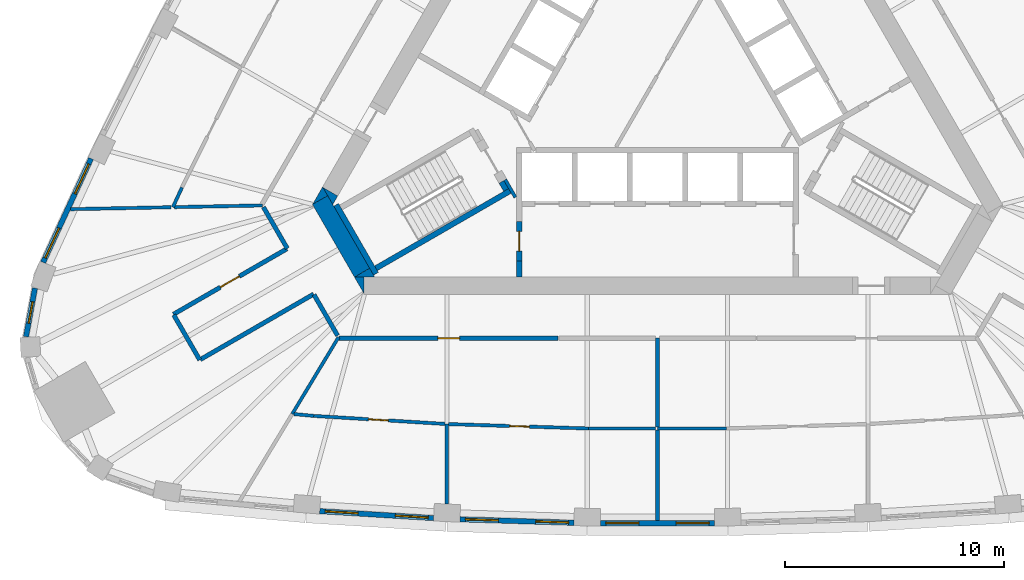
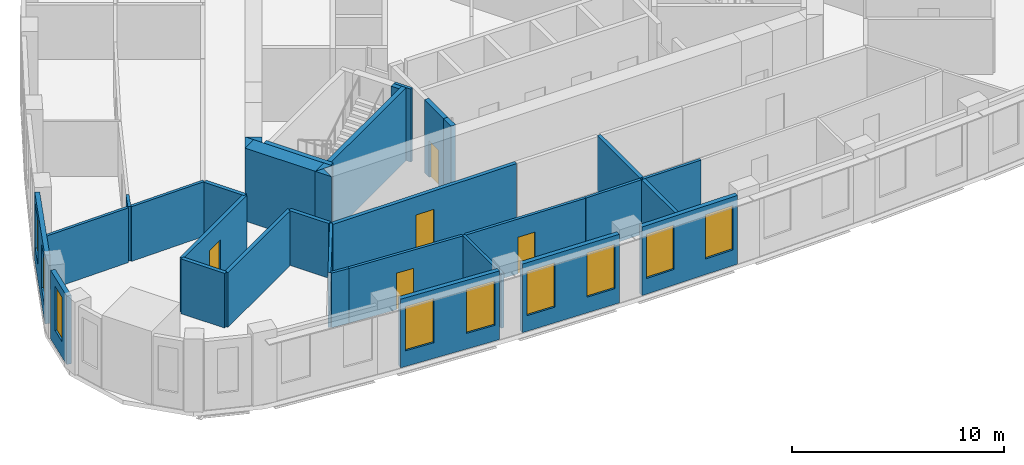
# One storey, part 3 of 10: 34 walls, 9 windows, 5 doors, 14 openings.
"""IFC4 building model written with IfcOpenShell, lengths in metres."""

from ifc_helpers import new_model, si_unit, direction, frame, frame_2d, origin, place, context, subcontext, project, spatial, polyline, rectangle, outline, extrude, material, layer, layer_set, type_object, element, fill, save


model = new_model("IFC4")

# Units and contexts
model_context = context("Model", 3, precision=1e-05, world=origin(), true_north=direction((0.0, 1.0)))
body_context = subcontext(model_context, "Body", "Model", "MODEL_VIEW")
ifc_project = project(units=[si_unit("LENGTHUNIT", "METRE"), si_unit("AREAUNIT", "SQUARE_METRE"), si_unit("VOLUMEUNIT", "CUBIC_METRE"), si_unit("PLANEANGLEUNIT", "RADIAN"), si_unit("MASSUNIT", "GRAM", prefix="KILO")], contexts=[model_context])

# Site, building, storey
site_placement = place(None, origin())
site = spatial("IfcSite", under=ifc_project, at=site_placement, CompositionType="ELEMENT")
building_placement = place(site_placement, origin())
building = spatial("IfcBuilding", under=site, at=building_placement, Name="Mestral Congress Tower", CompositionType="ELEMENT")
storey_placement = place(building_placement, frame((0.0, 0.0, 154.199951171875)))
storey = spatial("IfcBuildingStorey", under=building, at=storey_placement, Name="L36", CompositionType="ELEMENT", Elevation=154.199951171875)

# Walls
ifc_material_1 = material(Name="Concrete C60/75", Category="concrete")
ifc_layer_1 = layer(ifc_material_1, 0.800048828125)
ifc_layer_set_1 = layer_set([ifc_layer_1], Name="Concrete C60/75")
wall_type_1 = type_object("IfcWallType", Name="Core wall RC 800", PredefinedType="SOLIDWALL", material=ifc_layer_set_1)
placement = place(storey_placement, origin())
element("IfcWall", 1, at=placement, inside=storey, type_object=wall_type_1, Name="L36 core wall", PredefinedType="SOLIDWALL", context=body_context, shape_type="SweptSolid", body=[
    extrude(outline(polyline([(-13.82763671875, -9.64990234375), (-13.379638671875, -9.64990234375), (-13.379638671875, -10.42578125), (-13.82763671875, -9.64990234375)])), origin(), (0.0, 0.0, 1.0), 4.199951171875),
])
wall_2_placement = place(storey_placement, frame((-15.38720703125, -6.148193359375, 0.0), z_axis=(0.0, 0.0, 1.0), x_axis=(0.499984020225, -0.866034629516, 0.0)))
element("IfcWall", 2, at=wall_2_placement, inside=storey, type_object=wall_type_1, Name="L36 core wall", PredefinedType="SOLIDWALL", context=body_context, shape_type="SweptSolid", body=[
    extrude(rectangle(XDim=3.824462890625, YDim=0.800048828125, at=frame_2d((1.912109375, 0.0))), origin(), (0.0, 0.0, 1.0), 4.199951171875),
])
element("IfcWall", 3, at=placement, inside=storey, type_object=wall_type_1, Name="L36 core wall", PredefinedType="SOLIDWALL", context=body_context, shape_type="SweptSolid", body=[
    extrude(outline(polyline([(-15.0419921875, -5.946533203125), (-15.728759765625, -6.343017578125), (-15.27099609375, -5.5498046875), (-15.0419921875, -5.946533203125)])), origin(), (0.0, 0.0, 1.0), 4.199951171875),
])
element("IfcWall", 4, at=placement, inside=storey, type_object=wall_type_1, Name="L36 core wall", PredefinedType="SOLIDWALL", context=body_context, shape_type="SweptSolid", body=[
    extrude(outline(polyline([(-12.90380859375, -9.64990234375), (-13.7998046875, -9.64990234375), (-13.127685546875, -9.261962890625), (-12.90380859375, -9.64990234375)])), origin(), (0.0, 0.0, 1.0), 4.199951171875),
])
element("IfcWall", 5, at=placement, inside=storey, type_object=wall_type_1, Name="L36 core wall", PredefinedType="SOLIDWALL", context=body_context, shape_type="SweptSolid", body=[
    extrude(outline(polyline([(-14.80908203125, -6.35009765625), (-15.2568359375, -5.57421875), (-14.5849609375, -5.9619140625), (-14.80908203125, -6.35009765625)])), origin(), (0.0, 0.0, 1.0), 4.199951171875),
])

# Wall, openings, windows
ifc_material_2 = material(Name="Precast concrete C40/50 with limestone facing", Category="masonry")
ifc_layer_2 = layer(ifc_material_2, 0.239990234375)
ifc_layer_set_2 = layer_set([ifc_layer_2], Name="Precast concrete C40/50 with limestone facing")
wall_type_2 = type_object("IfcWallType", Name="Facade stone wall 240", PredefinedType="SOLIDWALL", material=ifc_layer_set_2)
wall_6_placement = place(storey_placement, frame((-15.404541015625, -20.33837890625, 0.0), z_axis=(0.0, 0.0, 1.0), x_axis=(0.998135294646, -0.061040425794, 0.0)))
wall_6 = element("IfcWall", 6, at=wall_6_placement, inside=storey, type_object=wall_type_2, Name="Facade wall F0-01", PredefinedType="SOLIDWALL", context=body_context, shape_type="SweptSolid", body=[
    extrude(rectangle(XDim=5.20361328125, YDim=0.239990234375, at=frame_2d((2.601806640625, 0.0))), origin(), (0.0, 0.0, 1.0), 3.949951171875),
])
opening_1_placement = place(wall_6_placement, frame((0.248291015625, 0.0, 0.89990234375)))
opening_1 = element("IfcOpeningElement", 7, at=opening_1_placement, cuts=wall_6, Name="Opening W4", PredefinedType="OPENING", context=body_context, shape_type="SweptSolid", body=[
    extrude(rectangle(XDim=1.5, YDim=2.550048828125, at=frame_2d((0.75, 1.27490234375))), frame((0.0, 0.1298828125, 0.0), z_axis=(0.0, -1.0, 0.0), x_axis=(1.0, 0.0, 0.0)), (0.0, 0.0, 1.0), 0.260009765625),
])
opening_2_placement = place(wall_6_placement, frame((3.455078125, 0.0, 0.89990234375)))
opening_2 = element("IfcOpeningElement", 8, at=opening_2_placement, cuts=wall_6, Name="Opening W4", PredefinedType="OPENING", context=body_context, shape_type="SweptSolid", body=[
    extrude(rectangle(XDim=1.5, YDim=2.550048828125, at=frame_2d((0.75, 1.27490234375))), frame((0.0, 0.1298828125, 0.0), z_axis=(0.0, -1.0, 0.0), x_axis=(1.0, 0.0, 0.0)), (0.0, 0.0, 1.0), 0.260009765625),
])
ifc_material_3 = material(Name="Clear low-emissivity double glazing", Category="glass")
window_type_1 = type_object("IfcWindowType", Name="Facade punched window 1500 x 2550 sill 900", PartitioningType="SINGLE_PANEL", PredefinedType="WINDOW", material=ifc_material_3)
window_1_placement = place(opening_1_placement, origin())
window_1 = element("IfcWindow", 9, at=window_1_placement, inside=storey, type_object=window_type_1, Name="Window F0-01a", OverallHeight=2.550048828125, OverallWidth=1.5, PartitioningType="SINGLE_PANEL", PredefinedType="WINDOW", context=body_context, shape_type="SweptSolid", body=[
    extrude(rectangle(XDim=1.5, YDim=2.550048828125, at=frame_2d((0.75, 1.27490234375))), frame((0.0, 0.0400390625, 0.0), z_axis=(0.0, -1.0, 0.0), x_axis=(1.0, 0.0, 0.0)), (0.0, 0.0, 1.0), 0.06005859375),
])
fill(opening_1, window_1)
window_2_placement = place(opening_2_placement, origin())
window_2 = element("IfcWindow", 10, at=window_2_placement, inside=storey, type_object=window_type_1, Name="Window F0-01b", OverallHeight=2.550048828125, OverallWidth=1.5, PartitioningType="SINGLE_PANEL", PredefinedType="WINDOW", context=body_context, shape_type="SweptSolid", body=[
    extrude(rectangle(XDim=1.5, YDim=2.550048828125, at=frame_2d((0.75, 1.27490234375))), frame((0.0, 0.0400390625, 0.0), z_axis=(0.0, -1.0, 0.0), x_axis=(1.0, 0.0, 0.0)), (0.0, 0.0, 1.0), 0.06005859375),
])
fill(opening_2, window_2)

wall_7_placement = place(storey_placement, frame((-9.00732421875, -20.7109375, 0.0), z_axis=(0.0, 0.0, 1.0), x_axis=(0.999533441983, -0.030543384845, 0.0)))
wall_7 = element("IfcWall", 11, at=wall_7_placement, inside=storey, type_object=wall_type_2, Name="Facade wall F0-02", PredefinedType="SOLIDWALL", context=body_context, shape_type="SweptSolid", body=[
    extrude(rectangle(XDim=5.20361328125, YDim=0.239990234375, at=frame_2d((2.601806640625, 0.0))), origin(), (0.0, 0.0, 1.0), 3.949951171875),
])
opening_3_placement = place(wall_7_placement, frame((0.248291015625, 0.0, 0.89990234375)))
opening_3 = element("IfcOpeningElement", 12, at=opening_3_placement, cuts=wall_7, Name="Opening W4", PredefinedType="OPENING", context=body_context, shape_type="SweptSolid", body=[
    extrude(rectangle(XDim=1.5, YDim=2.550048828125, at=frame_2d((0.75, 1.27490234375))), frame((0.0, 0.1298828125, 0.0), z_axis=(0.0, -1.0, 0.0), x_axis=(1.0, 0.0, 0.0)), (0.0, 0.0, 1.0), 0.260009765625),
])
opening_4_placement = place(wall_7_placement, frame((3.455078125, 0.0, 0.89990234375)))
opening_4 = element("IfcOpeningElement", 13, at=opening_4_placement, cuts=wall_7, Name="Opening W4", PredefinedType="OPENING", context=body_context, shape_type="SweptSolid", body=[
    extrude(rectangle(XDim=1.5, YDim=2.550048828125, at=frame_2d((0.75, 1.27490234375))), frame((0.0, 0.1298828125, 0.0), z_axis=(0.0, -1.0, 0.0), x_axis=(1.0, 0.0, 0.0)), (0.0, 0.0, 1.0), 0.260009765625),
])
window_3_placement = place(opening_3_placement, origin())
window_3 = element("IfcWindow", 14, at=window_3_placement, inside=storey, type_object=window_type_1, Name="Window F0-02a", OverallHeight=2.550048828125, OverallWidth=1.5, PartitioningType="SINGLE_PANEL", PredefinedType="WINDOW", context=body_context, shape_type="SweptSolid", body=[
    extrude(rectangle(XDim=1.5, YDim=2.550048828125, at=frame_2d((0.75, 1.27490234375))), frame((0.0, 0.0400390625, 0.0), z_axis=(0.0, -1.0, 0.0), x_axis=(1.0, 0.0, 0.0)), (0.0, 0.0, 1.0), 0.06005859375),
])
fill(opening_3, window_3)
window_4_placement = place(opening_4_placement, origin())
window_4 = element("IfcWindow", 15, at=window_4_placement, inside=storey, type_object=window_type_1, Name="Window F0-02b", OverallHeight=2.550048828125, OverallWidth=1.5, PartitioningType="SINGLE_PANEL", PredefinedType="WINDOW", context=body_context, shape_type="SweptSolid", body=[
    extrude(rectangle(XDim=1.5, YDim=2.550048828125, at=frame_2d((0.75, 1.27490234375))), frame((0.0, 0.0400390625, 0.0), z_axis=(0.0, -1.0, 0.0), x_axis=(1.0, 0.0, 0.0)), (0.0, 0.0, 1.0), 0.06005859375),
])
fill(opening_4, window_4)

wall_8_placement = place(storey_placement, frame((-2.601806640625, -20.88818359375, 0.0), z_axis=(0.0, 0.0, 1.0), x_axis=(1.0, 0.0, 0.0)))
wall_8 = element("IfcWall", 16, at=wall_8_placement, inside=storey, type_object=wall_type_2, Name="Facade wall F0-03", PredefinedType="SOLIDWALL", context=body_context, shape_type="SweptSolid", body=[
    extrude(rectangle(XDim=5.20361328125, YDim=0.239990234375, at=frame_2d((2.601806640625, 0.0))), origin(), (0.0, 0.0, 1.0), 3.949951171875),
])
opening_5_placement = place(wall_8_placement, frame((0.248291015625, 0.0, 0.89990234375)))
opening_5 = element("IfcOpeningElement", 17, at=opening_5_placement, cuts=wall_8, Name="Opening W4", PredefinedType="OPENING", context=body_context, shape_type="SweptSolid", body=[
    extrude(rectangle(XDim=1.5, YDim=2.550048828125, at=frame_2d((0.75, 1.27490234375))), frame((0.0, 0.1298828125, 0.0), z_axis=(0.0, -1.0, 0.0), x_axis=(1.0, 0.0, 0.0)), (0.0, 0.0, 1.0), 0.260009765625),
])
opening_6_placement = place(wall_8_placement, frame((3.455078125, 0.0, 0.89990234375)))
opening_6 = element("IfcOpeningElement", 18, at=opening_6_placement, cuts=wall_8, Name="Opening W4", PredefinedType="OPENING", context=body_context, shape_type="SweptSolid", body=[
    extrude(rectangle(XDim=1.5, YDim=2.550048828125, at=frame_2d((0.75, 1.27490234375))), frame((0.0, 0.1298828125, 0.0), z_axis=(0.0, -1.0, 0.0), x_axis=(1.0, 0.0, 0.0)), (0.0, 0.0, 1.0), 0.260009765625),
])
window_5_placement = place(opening_5_placement, origin())
window_5 = element("IfcWindow", 19, at=window_5_placement, inside=storey, type_object=window_type_1, Name="Window F0-03a", OverallHeight=2.550048828125, OverallWidth=1.5, PartitioningType="SINGLE_PANEL", PredefinedType="WINDOW", context=body_context, shape_type="SweptSolid", body=[
    extrude(rectangle(XDim=1.5, YDim=2.550048828125, at=frame_2d((0.75, 1.27490234375))), frame((0.0, 0.0400390625, 0.0), z_axis=(0.0, -1.0, 0.0), x_axis=(1.0, 0.0, 0.0)), (0.0, 0.0, 1.0), 0.06005859375),
])
fill(opening_5, window_5)
window_6_placement = place(opening_6_placement, origin())
window_6 = element("IfcWindow", 20, at=window_6_placement, inside=storey, type_object=window_type_1, Name="Window F0-03b", OverallHeight=2.550048828125, OverallWidth=1.5, PartitioningType="SINGLE_PANEL", PredefinedType="WINDOW", context=body_context, shape_type="SweptSolid", body=[
    extrude(rectangle(XDim=1.5, YDim=2.550048828125, at=frame_2d((0.75, 1.27490234375))), frame((0.0, 0.0400390625, 0.0), z_axis=(0.0, -1.0, 0.0), x_axis=(1.0, 0.0, 0.0)), (0.0, 0.0, 1.0), 0.06005859375),
])
fill(opening_6, window_6)

wall_9_placement = place(storey_placement, frame((-25.8369140625, -4.2578125, 0.0), z_axis=(0.0, 0.0, 1.0), x_axis=(-0.418722559465, -0.908114209885, 0.0)))
wall_9 = element("IfcWall", 21, at=wall_9_placement, inside=storey, type_object=wall_type_2, Name="Facade wall F2-06", PredefinedType="SOLIDWALL", context=body_context, shape_type="SweptSolid", body=[
    extrude(rectangle(XDim=5.213134765625, YDim=0.239990234375, at=frame_2d((2.6064453125, 0.0))), origin(), (0.0, 0.0, 1.0), 3.949951171875),
])
opening_7_placement = place(wall_9_placement, frame((0.2607421875, 0.0, 0.89990234375)))
opening_7 = element("IfcOpeningElement", 22, at=opening_7_placement, cuts=wall_9, Name="Opening W4", PredefinedType="OPENING", context=body_context, shape_type="SweptSolid", body=[
    extrude(rectangle(XDim=1.5, YDim=2.550048828125, at=frame_2d((0.75, 1.27490234375))), frame((0.0, 0.1298828125, 0.0), z_axis=(0.0, -1.0, 0.0), x_axis=(1.0, 0.0, 0.0)), (0.0, 0.0, 1.0), 0.260009765625),
])
opening_8_placement = place(wall_9_placement, frame((3.492431640625, 0.0, 0.89990234375)))
opening_8 = element("IfcOpeningElement", 23, at=opening_8_placement, cuts=wall_9, Name="Opening W4", PredefinedType="OPENING", context=body_context, shape_type="SweptSolid", body=[
    extrude(rectangle(XDim=1.5, YDim=2.550048828125, at=frame_2d((0.75, 1.27490234375))), frame((0.0, 0.1298828125, 0.0), z_axis=(0.0, -1.0, 0.0), x_axis=(1.0, 0.0, 0.0)), (0.0, 0.0, 1.0), 0.260009765625),
])
window_7_placement = place(opening_7_placement, origin())
window_7 = element("IfcWindow", 24, at=window_7_placement, inside=storey, type_object=window_type_1, Name="Window F2-06a", OverallHeight=2.550048828125, OverallWidth=1.5, PartitioningType="SINGLE_PANEL", PredefinedType="WINDOW", context=body_context, shape_type="SweptSolid", body=[
    extrude(rectangle(XDim=1.5, YDim=2.550048828125, at=frame_2d((0.75, 1.27490234375))), frame((0.0, 0.0400390625, 0.0), z_axis=(0.0, -1.0, 0.0), x_axis=(1.0, 0.0, 0.0)), (0.0, 0.0, 1.0), 0.06005859375),
])
fill(opening_7, window_7)
window_8_placement = place(opening_8_placement, origin())
window_8 = element("IfcWindow", 25, at=window_8_placement, inside=storey, type_object=window_type_1, Name="Window F2-06b", OverallHeight=2.550048828125, OverallWidth=1.5, PartitioningType="SINGLE_PANEL", PredefinedType="WINDOW", context=body_context, shape_type="SweptSolid", body=[
    extrude(rectangle(XDim=1.5, YDim=2.550048828125, at=frame_2d((0.75, 1.27490234375))), frame((0.0, 0.0400390625, 0.0), z_axis=(0.0, -1.0, 0.0), x_axis=(1.0, 0.0, 0.0)), (0.0, 0.0, 1.0), 0.06005859375),
])
fill(opening_8, window_8)

# Wall, opening, window
wall_10_placement = place(storey_placement, frame((-28.392578125, -10.166748046875, 0.0), z_axis=(0.0, 0.0, 1.0), x_axis=(-0.180737189259, -0.983531427265, 0.0)))
wall_10 = element("IfcWall", 26, at=wall_10_placement, inside=storey, type_object=wall_type_2, Name="Facade wall K2-0", PredefinedType="SOLIDWALL", context=body_context, shape_type="SweptSolid", body=[
    extrude(rectangle(XDim=2.25048828125, YDim=0.239990234375, at=frame_2d((1.125244140625, 0.0))), origin(), (0.0, 0.0, 1.0), 3.949951171875),
])
opening_9_placement = place(wall_10_placement, frame((0.625244140625, 0.0, 0.89990234375)))
opening_9 = element("IfcOpeningElement", 27, at=opening_9_placement, cuts=wall_10, Name="Opening W5", PredefinedType="OPENING", context=body_context, shape_type="SweptSolid", body=[
    extrude(rectangle(XDim=1.0, YDim=2.550048828125, at=frame_2d((0.5, 1.27490234375))), frame((0.0, 0.1298828125, 0.0), z_axis=(0.0, -1.0, 0.0), x_axis=(1.0, 0.0, 0.0)), (0.0, 0.0, 1.0), 0.260009765625),
])
window_type_2 = type_object("IfcWindowType", Name="Facade punched window 1000 x 2550 sill 900", PartitioningType="SINGLE_PANEL", PredefinedType="WINDOW", material=ifc_material_3)
window_9_placement = place(opening_9_placement, origin())
window_9 = element("IfcWindow", 28, at=window_9_placement, inside=storey, type_object=window_type_2, Name="Window K2-0", OverallHeight=2.550048828125, OverallWidth=1.0, PartitioningType="SINGLE_PANEL", PredefinedType="WINDOW", context=body_context, shape_type="SweptSolid", body=[
    extrude(rectangle(XDim=1.0, YDim=2.550048828125, at=frame_2d((0.5, 1.27490234375))), frame((0.0, 0.0400390625, 0.0), z_axis=(0.0, -1.0, 0.0), x_axis=(1.0, 0.0, 0.0)), (0.0, 0.0, 1.0), 0.06005859375),
])
fill(opening_9, window_9)

# Walls
ifc_material_4 = material(Name="Plasterboard partition on steel studs", Category="steel")
ifc_layer_3 = layer(ifc_material_4, 0.14990234375)
ifc_layer_set_3 = layer_set([ifc_layer_3], Name="Plasterboard partition on steel studs")
wall_type_3 = type_object("IfcWallType", Name="Office partition 150", PredefinedType="PARTITIONING", material=ifc_layer_set_3)
wall_11_placement = place(storey_placement, frame((0.0, -16.568115234375, 0.0), z_axis=(0.0, 0.0, 1.0), x_axis=(1.0, 0.0, 0.0)))
element("IfcWall", 29, at=wall_11_placement, inside=storey, type_object=wall_type_3, Name="Partition", PredefinedType="PARTITIONING", context=body_context, shape_type="SweptSolid", body=[
    extrude(rectangle(XDim=3.13818359375, YDim=0.14990234375, at=frame_2d((1.569091796875, 0.0))), origin(), (0.0, 0.0, 1.0), 3.150146484375),
])
wall_12_placement = place(storey_placement, frame((-21.689208984375, -5.579345703125, 0.0), z_axis=(0.0, 0.0, 1.0), x_axis=(-0.418649696334, -0.908147802816, 0.0)))
element("IfcWall", 30, at=wall_12_placement, inside=storey, type_object=wall_type_3, Name="Partition", PredefinedType="PARTITIONING", context=body_context, shape_type="SweptSolid", body=[
    extrude(rectangle(XDim=0.985595703125, YDim=0.14990234375, at=frame_2d((0.49267578125, 0.0))), origin(), (0.0, 0.0, 1.0), 3.150146484375),
])
wall_13_placement = place(storey_placement, frame((-22.185302734375, -6.47607421875, 0.0), z_axis=(0.0, 0.0, 1.0), x_axis=(-0.999810025733, -0.019491342784, 0.0)))
element("IfcWall", 31, at=wall_13_placement, inside=storey, type_object=wall_type_3, Name="Partition", PredefinedType="PARTITIONING", context=body_context, shape_type="SweptSolid", body=[
    extrude(rectangle(XDim=4.58447265625, YDim=0.14990234375, at=frame_2d((2.292236328125, 0.0))), origin(), (0.0, 0.0, 1.0), 3.150146484375),
])
wall_14_placement = place(storey_placement, frame((-18.016357421875, -6.39453125, 0.0), z_axis=(0.0, 0.0, 1.0), x_axis=(-0.999809528944, -0.019516808959, 0.0)))
element("IfcWall", 32, at=wall_14_placement, inside=storey, type_object=wall_type_3, Name="Partition", PredefinedType="PARTITIONING", context=body_context, shape_type="SweptSolid", body=[
    extrude(rectangle(XDim=4.0029296875, YDim=0.14990234375, at=frame_2d((2.00146484375, 0.0))), origin(), (0.0, 0.0, 1.0), 3.150146484375),
])
wall_15_placement = place(storey_placement, frame((-14.546142578125, -12.405517578125, 0.0), z_axis=(0.0, 0.0, 1.0), x_axis=(-0.516811321583, -0.856099327113, 0.0)))
element("IfcWall", 33, at=wall_15_placement, inside=storey, type_object=wall_type_3, Name="Partition", PredefinedType="PARTITIONING", context=body_context, shape_type="SweptSolid", body=[
    extrude(rectangle(XDim=4.090087890625, YDim=0.14990234375, at=frame_2d((2.044921875, 0.0))), origin(), (0.0, 0.0, 1.0), 3.150146484375),
])
wall_16_placement = place(storey_placement, frame((-9.6171875, -16.364013671875, 0.0), z_axis=(0.0, 0.0, 1.0), x_axis=(0.0, -1.0, 0.0)))
element("IfcWall", 34, at=wall_16_placement, inside=storey, type_object=wall_type_3, Name="Partition", PredefinedType="PARTITIONING", context=body_context, shape_type="SweptSolid", body=[
    extrude(rectangle(XDim=3.6474609375, YDim=0.14990234375, at=frame_2d((1.82373046875, 0.0))), origin(), (0.0, 0.0, 1.0), 3.150146484375),
])
wall_17_placement = place(storey_placement, frame((-16.574951171875, -15.9111328125, 0.0), z_axis=(0.0, 0.0, 1.0), x_axis=(0.995808489615, -0.09146284497, 0.0)))
element("IfcWall", 35, at=wall_17_placement, inside=storey, type_object=wall_type_3, Name="Partition", PredefinedType="PARTITIONING", context=body_context, shape_type="SweptSolid", body=[
    extrude(rectangle(XDim=0.902099609375, YDim=0.14990234375, at=frame_2d((0.451171875, 0.0))), origin(), (0.0, 0.0, 1.0), 3.150146484375),
])

# Wall, opening, door
wall_18_placement = place(storey_placement, frame((-9.692138671875, -16.359619140625, 0.0), z_axis=(0.0, 0.0, 1.0), x_axis=(-0.998135339661, 0.061039689709, 0.0)))
wall_18 = element("IfcWall", 36, at=wall_18_placement, inside=storey, type_object=wall_type_3, Name="Partition", PredefinedType="PARTITIONING", context=body_context, shape_type="SweptSolid", body=[
    extrude(rectangle(XDim=5.99560546875, YDim=0.14990234375, at=frame_2d((2.997802734375, 0.0))), origin(), (0.0, 0.0, 1.0), 3.150146484375),
])
opening_10_placement = place(wall_18_placement, frame((2.595458984375, 0.0, 0.0)))
opening_10 = element("IfcOpeningElement", 37, at=opening_10_placement, cuts=wall_18, Name="Opening O02-019", PredefinedType="OPENING", context=body_context, shape_type="SweptSolid", body=[
    extrude(rectangle(XDim=0.89990234375, YDim=2.10009765625, at=frame_2d((0.449951171875, 1.050048828125))), frame((0.0, 0.0849609375, 0.0), z_axis=(0.0, -1.0, 0.0), x_axis=(1.0, 0.0, 0.0)), (0.0, 0.0, 1.0), 0.169921875),
])
ifc_material_5 = material(Name="Timber door set", Category="wood")
door_type_1 = type_object("IfcDoorType", Name="Office door 900x2100", OperationType="SINGLE_SWING_LEFT", PredefinedType="DOOR", material=ifc_material_5)
door_1_placement = place(opening_10_placement, origin())
door_1 = element("IfcDoor", 38, at=door_1_placement, inside=storey, type_object=door_type_1, Name="Door O02-019", OperationType="SINGLE_SWING_RIGHT", OverallHeight=2.10009765625, OverallWidth=0.89990234375, PredefinedType="DOOR", context=body_context, shape_type="SweptSolid", body=[
    extrude(rectangle(XDim=0.89990234375, YDim=2.10009765625, at=frame_2d((0.449951171875, 1.050048828125))), frame((0.0, 0.02490234375, 0.0), z_axis=(0.0, -1.0, 0.0), x_axis=(1.0, 0.0, 0.0)), (0.0, 0.0, 1.0), 0.050048828125),
])
fill(opening_10, door_1)

wall_19_placement = place(storey_placement, frame((-3.13818359375, -16.568115234375, 0.0), z_axis=(0.0, 0.0, 1.0), x_axis=(-0.999504575396, 0.031473858384, 0.0)))
wall_19 = element("IfcWall", 39, at=wall_19_placement, inside=storey, type_object=wall_type_3, Name="Partition", PredefinedType="PARTITIONING", context=body_context, shape_type="SweptSolid", body=[
    extrude(rectangle(XDim=6.4072265625, YDim=0.14990234375, at=frame_2d((3.20361328125, 0.0))), origin(), (0.0, 0.0, 1.0), 3.150146484375),
])
opening_11_placement = place(wall_19_placement, frame((2.707275390625, 0.0, 0.0)))
opening_11 = element("IfcOpeningElement", 40, at=opening_11_placement, cuts=wall_19, Name="Opening O02-020", PredefinedType="OPENING", context=body_context, shape_type="SweptSolid", body=[
    extrude(rectangle(XDim=0.89990234375, YDim=2.10009765625, at=frame_2d((0.449951171875, 1.050048828125))), frame((0.0, 0.0849609375, 0.0), z_axis=(0.0, -1.0, 0.0), x_axis=(1.0, 0.0, 0.0)), (0.0, 0.0, 1.0), 0.169921875),
])
door_2_placement = place(opening_11_placement, origin())
door_2 = element("IfcDoor", 41, at=door_2_placement, inside=storey, type_object=door_type_1, Name="Door O02-020", OperationType="SINGLE_SWING_LEFT", OverallHeight=2.10009765625, OverallWidth=0.89990234375, PredefinedType="DOOR", context=body_context, shape_type="SweptSolid", body=[
    extrude(rectangle(XDim=0.89990234375, YDim=2.10009765625, at=frame_2d((0.449951171875, 1.050048828125))), frame((0.0, 0.02490234375, 0.0), z_axis=(0.0, -1.0, 0.0), x_axis=(1.0, 0.0, 0.0)), (0.0, 0.0, 1.0), 0.050048828125),
])
fill(opening_11, door_2)

# Walls
wall_20_placement = place(storey_placement, frame((-3.13818359375, -16.568115234375, 0.0), z_axis=(0.0, 0.0, 1.0), x_axis=(1.0, 0.0, 0.0)))
element("IfcWall", 42, at=wall_20_placement, inside=storey, type_object=wall_type_3, Name="Partition", PredefinedType="PARTITIONING", context=body_context, shape_type="SweptSolid", body=[
    extrude(rectangle(XDim=3.0380859375, YDim=0.14990234375, at=frame_2d((1.51904296875, 0.0))), origin(), (0.0, 0.0, 1.0), 3.150146484375),
])
ifc_material_6 = material(Name="Dense masonry wall, plastered", Category="masonry")
ifc_layer_4 = layer(ifc_material_6, 0.199951171875)
ifc_layer_set_4 = layer_set([ifc_layer_4], Name="Dense masonry wall, plastered")
wall_type_4 = type_object("IfcWallType", Name="Office tenancy wall 200", PredefinedType="PARTITIONING", material=ifc_layer_set_4)
wall_21_placement = place(storey_placement, frame((0.0, -20.768310546875, 0.0), z_axis=(0.0, 0.0, 1.0), x_axis=(0.0, 1.0, 0.0)))
element("IfcWall", 43, at=wall_21_placement, inside=storey, type_object=wall_type_4, Name="Tenancy wall", PredefinedType="PARTITIONING", context=body_context, shape_type="SweptSolid", body=[
    extrude(rectangle(XDim=4.125, YDim=0.199951171875, at=frame_2d((2.0625, 0.0))), origin(), (0.0, 0.0, 1.0), 3.150146484375),
])
wall_22_placement = place(storey_placement, frame((0.0, -16.4931640625, 0.0), z_axis=(0.0, 0.0, 1.0), x_axis=(0.0, 1.0, 0.0)))
element("IfcWall", 44, at=wall_22_placement, inside=storey, type_object=wall_type_4, Name="Tenancy wall", PredefinedType="PARTITIONING", context=body_context, shape_type="SweptSolid", body=[
    extrude(rectangle(XDim=4.043212890625, YDim=0.199951171875, at=frame_2d((2.021484375, 0.0))), origin(), (0.0, 0.0, 1.0), 3.150146484375),
])
wall_23_placement = place(storey_placement, frame((-17.9736328125, -6.46875, 0.0), z_axis=(0.0, 0.0, 1.0), x_axis=(0.499961062019, -0.866047883471, 0.0)))
element("IfcWall", 45, at=wall_23_placement, inside=storey, type_object=wall_type_4, Name="Tenancy wall", PredefinedType="PARTITIONING", context=body_context, shape_type="SweptSolid", body=[
    extrude(rectangle(XDim=2.184814453125, YDim=0.199951171875, at=frame_2d((1.09228515625, 0.0))), origin(), (0.0, 0.0, 1.0), 3.150146484375),
])

# Wall, opening, door
wall_24_placement = place(storey_placement, frame((-16.9072265625, -8.375732421875, 0.0), z_axis=(0.0, 0.0, 1.0), x_axis=(-0.866017375886, -0.50001390447, 0.0)))
wall_24 = element("IfcWall", 46, at=wall_24_placement, inside=storey, type_object=wall_type_4, Name="Tenancy wall", PredefinedType="PARTITIONING", context=body_context, shape_type="SweptSolid", body=[
    extrude(rectangle(XDim=5.969970703125, YDim=0.199951171875, at=frame_2d((2.98486328125, 0.0))), origin(), (0.0, 0.0, 1.0), 3.150146484375),
])
opening_12_placement = place(wall_24_placement, frame((2.5, 0.0, 0.0)))
opening_12 = element("IfcOpeningElement", 47, at=opening_12_placement, cuts=wall_24, Name="Opening O02-018", PredefinedType="OPENING", context=body_context, shape_type="SweptSolid", body=[
    extrude(rectangle(XDim=1.0, YDim=2.10009765625, at=frame_2d((0.5, 1.050048828125))), frame((0.0, 0.10986328125, 0.0), z_axis=(0.0, -1.0, 0.0), x_axis=(1.0, 0.0, 0.0)), (0.0, 0.0, 1.0), 0.219970703125),
])
ifc_material_7 = material(Name="Fire-rated timber door set", Category="wood")
door_type_2 = type_object("IfcDoorType", Name="Office tenancy entrance door 1000x2100", OperationType="SINGLE_SWING_LEFT", PredefinedType="DOOR", material=ifc_material_7)
door_3_placement = place(opening_12_placement, origin())
door_3 = element("IfcDoor", 48, at=door_3_placement, inside=storey, type_object=door_type_2, Name="Door O02-018", OperationType="SINGLE_SWING_RIGHT", OverallHeight=2.10009765625, OverallWidth=1.0, PredefinedType="DOOR", context=body_context, shape_type="SweptSolid", body=[
    extrude(rectangle(XDim=1.0, YDim=2.10009765625, at=frame_2d((0.5, 1.050048828125))), frame((0.0, 0.02490234375, 0.0), z_axis=(0.0, -1.0, 0.0), x_axis=(1.0, 0.0, 0.0)), (0.0, 0.0, 1.0), 0.050048828125),
])
fill(opening_12, door_3)

# Walls
wall_25_placement = place(storey_placement, frame((-22.0625, -11.38671875, 0.0), z_axis=(0.0, 0.0, 1.0), x_axis=(0.5000167099, -0.866015756104, 0.0)))
element("IfcWall", 49, at=wall_25_placement, inside=storey, type_object=wall_type_4, Name="Tenancy wall", PredefinedType="PARTITIONING", context=body_context, shape_type="SweptSolid", body=[
    extrude(rectangle(XDim=2.3701171875, YDim=0.199951171875, at=frame_2d((1.18505859375, 0.0))), origin(), (0.0, 0.0, 1.0), 3.150146484375),
])
wall_26_placement = place(storey_placement, frame((-20.851318359375, -13.42431640625, 0.0), z_axis=(0.0, 0.0, 1.0), x_axis=(0.866007151214, 0.500031613047, 0.0)))
element("IfcWall", 50, at=wall_26_placement, inside=storey, type_object=wall_type_4, Name="Tenancy wall", PredefinedType="PARTITIONING", context=body_context, shape_type="SweptSolid", body=[
    extrude(rectangle(XDim=5.9697265625, YDim=0.199951171875, at=frame_2d((2.98486328125, 0.0))), origin(), (0.0, 0.0, 1.0), 3.150146484375),
])
wall_27_placement = place(storey_placement, frame((-15.666259765625, -10.465087890625, 0.0), z_axis=(0.0, 0.0, 1.0), x_axis=(0.499977443261, -0.866038426532, 0.0)))
element("IfcWall", 51, at=wall_27_placement, inside=storey, type_object=wall_type_4, Name="Tenancy wall", PredefinedType="PARTITIONING", context=body_context, shape_type="SweptSolid", body=[
    extrude(rectangle(XDim=2.15478515625, YDim=0.199951171875, at=frame_2d((1.077392578125, 0.0))), origin(), (0.0, 0.0, 1.0), 3.150146484375),
])

# Wall, opening, door
wall_28_placement = place(storey_placement, frame((-14.5205078125, -12.449951171875, 0.0), z_axis=(0.0, 0.0, 1.0), x_axis=(1.0, 0.0, 0.0)))
wall_28 = element("IfcWall", 52, at=wall_28_placement, inside=storey, type_object=wall_type_4, Name="Tenancy wall", PredefinedType="PARTITIONING", context=body_context, shape_type="SweptSolid", body=[
    extrude(rectangle(XDim=9.990478515625, YDim=0.199951171875, at=frame_2d((4.9951171875, 0.0))), origin(), (0.0, 0.0, 1.0), 3.150146484375),
])
opening_13_placement = place(wall_28_placement, frame((4.5, 0.0, 0.0)))
opening_13 = element("IfcOpeningElement", 53, at=opening_13_placement, cuts=wall_28, Name="Opening O02-021", PredefinedType="OPENING", context=body_context, shape_type="SweptSolid", body=[
    extrude(rectangle(XDim=1.0, YDim=2.10009765625, at=frame_2d((0.5, 1.050048828125))), frame((0.0, 0.10986328125, 0.0), z_axis=(0.0, -1.0, 0.0), x_axis=(1.0, 0.0, 0.0)), (0.0, 0.0, 1.0), 0.219970703125),
])
door_4_placement = place(opening_13_placement, origin())
door_4 = element("IfcDoor", 54, at=door_4_placement, inside=storey, type_object=door_type_2, Name="Door O02-021", OperationType="SINGLE_SWING_RIGHT", OverallHeight=2.10009765625, OverallWidth=1.0, PredefinedType="DOOR", context=body_context, shape_type="SweptSolid", body=[
    extrude(rectangle(XDim=1.0, YDim=2.10009765625, at=frame_2d((0.5, 1.050048828125))), frame((0.0, 0.02490234375, 0.0), z_axis=(0.0, -1.0, 0.0), x_axis=(1.0, 0.0, 0.0)), (0.0, 0.0, 1.0), 0.050048828125),
])
fill(opening_13, door_4)

# Wall
ifc_layer_5 = layer(ifc_material_1, 0.25)
ifc_layer_set_5 = layer_set([ifc_layer_5], Name="Concrete C60/75")
wall_type_5 = type_object("IfcWallType", Name="Shaft wall RC 250", PredefinedType="SOLIDWALL", material=ifc_layer_set_5)
wall_29_placement = place(storey_placement, frame((-6.300048828125, -8.9248046875, 0.0), z_axis=(0.0, 0.0, 1.0), x_axis=(0.0, -1.0, 0.0)))
element("IfcWall", 55, at=wall_29_placement, inside=storey, type_object=wall_type_5, Name="L36 core wall", PredefinedType="SOLIDWALL", context=body_context, shape_type="SweptSolid", body=[
    extrude(rectangle(XDim=0.72509765625, YDim=0.25, at=frame_2d((0.362548828125, 0.0))), origin(), (0.0, 0.0, 1.0), 4.199951171875),
])

# Wall, opening, door
wall_30_placement = place(storey_placement, frame((-6.300048828125, -7.12451171875, 0.0), z_axis=(0.0, 0.0, 1.0), x_axis=(0.0, -1.0, 0.0)))
wall_30 = element("IfcWall", 56, at=wall_30_placement, inside=storey, type_object=wall_type_5, Name="L36 door wall", PredefinedType="SOLIDWALL", context=body_context, shape_type="SweptSolid", body=[
    extrude(rectangle(XDim=1.800048828125, YDim=0.25, at=frame_2d((0.89990234375, 0.0))), origin(), (0.0, 0.0, 1.0), 4.199951171875),
])
opening_14_placement = place(wall_30_placement, frame((0.449951171875, 0.0, 0.0)))
opening_14 = element("IfcOpeningElement", 57, at=opening_14_placement, cuts=wall_30, Name="Opening TD3", PredefinedType="OPENING", context=body_context, shape_type="SweptSolid", body=[
    extrude(rectangle(XDim=0.89990234375, YDim=2.10009765625, at=frame_2d((0.449951171875, 1.050048828125))), frame((0.0, 0.135009765625, 0.0), z_axis=(0.0, -1.0, 0.0), x_axis=(1.0, 0.0, 0.0)), (0.0, 0.0, 1.0), 0.27001953125),
])
ifc_material_8 = material(Name="Fire-rated steel door set", Category="steel")
door_type_3 = type_object("IfcDoorType", Name="Core door SR 900x2100", OperationType="SINGLE_SWING_LEFT", PredefinedType="DOOR", material=ifc_material_8)
door_5_placement = place(opening_14_placement, origin())
door_5 = element("IfcDoor", 58, at=door_5_placement, inside=storey, type_object=door_type_3, Name="Door TD3", OperationType="SINGLE_SWING_LEFT", OverallHeight=2.10009765625, OverallWidth=0.89990234375, PredefinedType="DOOR", context=body_context, shape_type="SweptSolid", body=[
    extrude(rectangle(XDim=0.89990234375, YDim=2.10009765625, at=frame_2d((0.449951171875, 1.050048828125))), frame((0.0, 0.02490234375, 0.0), z_axis=(0.0, -1.0, 0.0), x_axis=(1.0, 0.0, 0.0)), (0.0, 0.0, 1.0), 0.050048828125),
])
fill(opening_14, door_5)

# Walls
ifc_layer_6 = layer(ifc_material_1, 0.14990234375)
ifc_layer_set_6 = layer_set([ifc_layer_6], Name="Concrete C60/75")
wall_type_6 = type_object("IfcWallType", Name="Shaft wall RC 250 door-wall 150", PredefinedType="SOLIDWALL", material=ifc_layer_set_6)
wall_31_placement = place(storey_placement, frame((-6.48046875, -6.026611328125, 0.0), z_axis=(0.0, 0.0, 1.0), x_axis=(-0.499927229454, 0.866067413802, 0.0)))
element("IfcWall", 59, at=wall_31_placement, inside=storey, type_object=wall_type_6, Name="L36 core wall", PredefinedType="PARTITIONING", context=body_context, shape_type="SweptSolid", body=[
    extrude(rectangle(XDim=0.928955078125, YDim=0.14990234375, at=frame_2d((0.46435546875, 0.0))), origin(), (0.0, 0.0, 1.0), 4.199951171875),
])
ifc_layer_7 = layer(ifc_material_1, 0.25)
ifc_layer_set_7 = layer_set([ifc_layer_7], Name="Concrete C60/75")
wall_type_7 = type_object("IfcWallType", Name="Stair wall RC 250", PredefinedType="SOLIDWALL", material=ifc_layer_set_7)
wall_32_placement = place(storey_placement, frame((-12.839599609375, -9.510986328125, 0.0), z_axis=(0.0, 0.0, 1.0), x_axis=(-0.499997733992, 0.866026712061, 0.0)))
element("IfcWall", 60, at=wall_32_placement, inside=storey, type_object=wall_type_7, Name="L36 core wall", PredefinedType="SOLIDWALL", context=body_context, shape_type="SweptSolid", body=[
    extrude(rectangle(XDim=3.6337890625, YDim=0.25, at=frame_2d((1.81689453125, 0.0))), origin(), (0.0, 0.0, 1.0), 4.199951171875),
])
wall_33_placement = place(storey_placement, frame((-12.83984375, -9.2607421875, 0.0), z_axis=(0.0, 0.0, 1.0), x_axis=(0.866016039709, 0.500016218704, 0.0)))
element("IfcWall", 61, at=wall_33_placement, inside=storey, type_object=wall_type_7, Name="L36 core wall", PredefinedType="SOLIDWALL", context=body_context, shape_type="SweptSolid", body=[
    extrude(rectangle(XDim=7.050048828125, YDim=0.25, at=frame_2d((3.52490234375, 0.0))), origin(), (0.0, 0.0, 1.0), 4.199951171875),
])
wall_34_placement = place(storey_placement, frame((-6.905029296875, -5.68994140625, 0.0), z_axis=(0.0, 0.0, 1.0), x_axis=(-0.500402024738, 0.865793170242, 0.0)))
element("IfcWall", 62, at=wall_34_placement, inside=storey, type_object=wall_type_7, Name="L36 core wall", PredefinedType="SOLIDWALL", context=body_context, shape_type="SweptSolid", body=[
    extrude(rectangle(XDim=0.425048828125, YDim=0.25, at=frame_2d((0.21240234375, 0.0))), origin(), (0.0, 0.0, 1.0), 4.199951171875),
])

save(model, "model.ifc")
